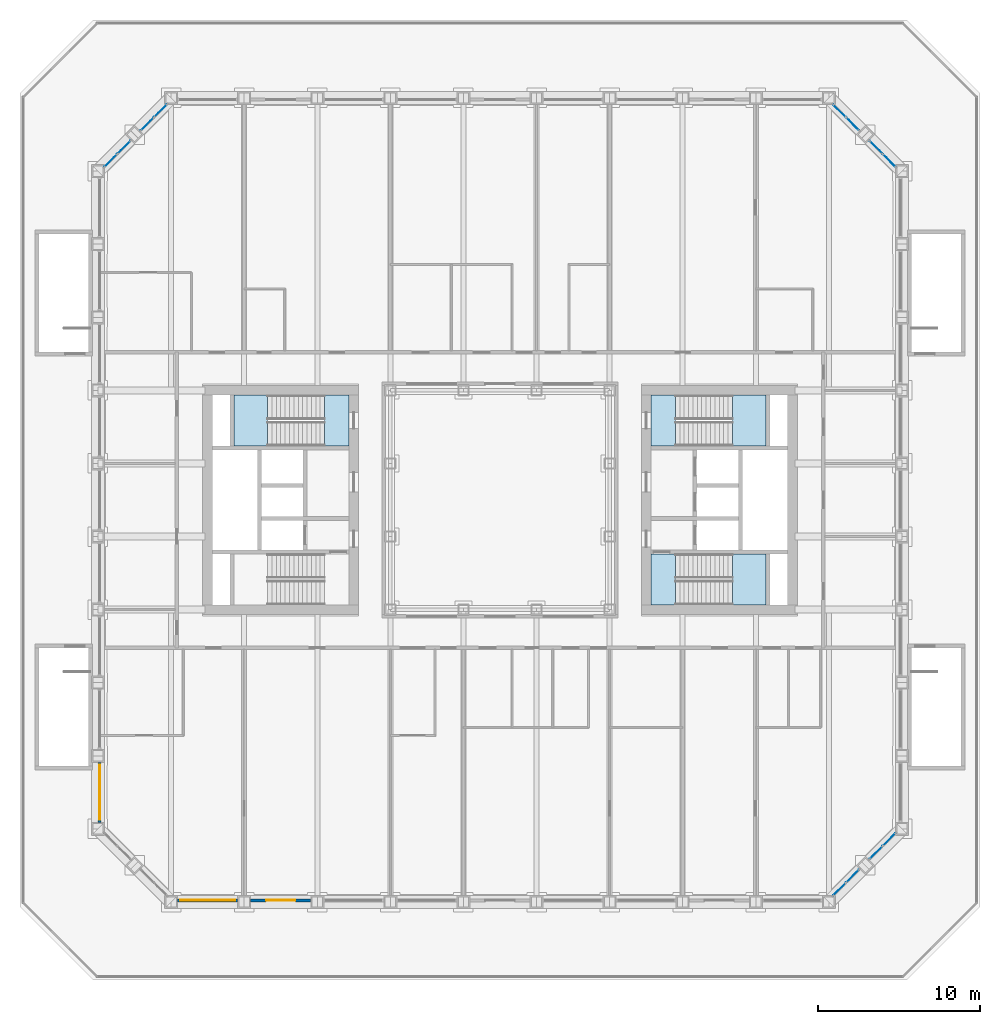
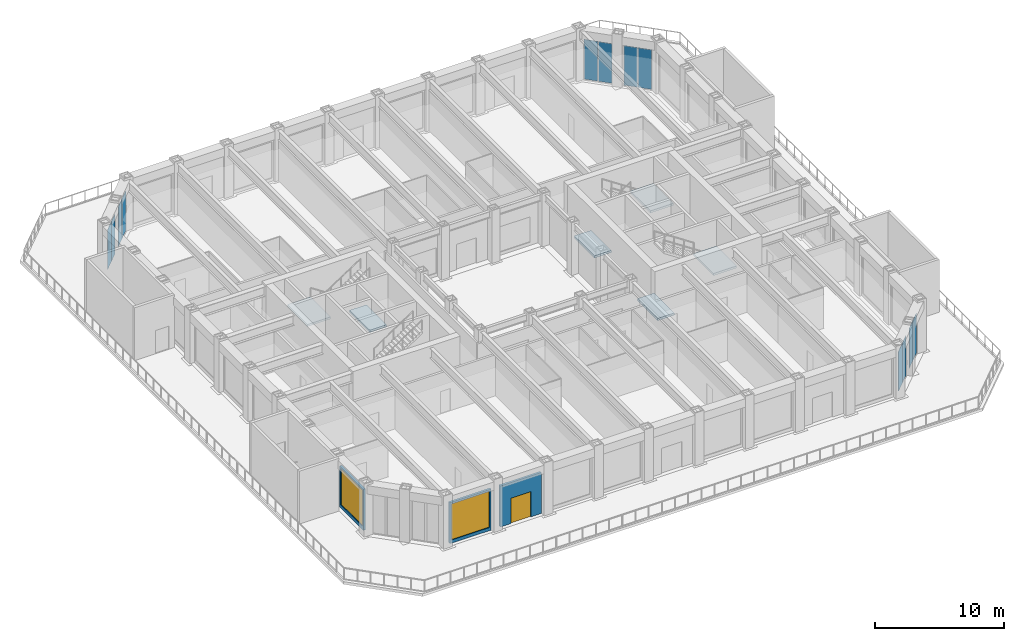
# One storey, part 8 of 18: 12 plates, 6 slabs, 3 walls, 2 windows, 1 door, 3 openings, 9 elements without a shape of their own.
"""IFC4 building model written with IfcOpenShell, lengths in metres."""

from ifc_helpers import new_model, si_unit, direction, frame, frame_2d, origin, origin_2d, place, context, subcontext, project, spatial, polyline, rectangle, outline, extrude, material, layer, layer_set, type_object, element, fill, aggregate, save


model = new_model("IFC4")

# Units and contexts
model_context = context("Model", 3, precision=1e-05, world=origin(), true_north=direction((0.0, 1.0)))
body_context = subcontext(model_context, "Body", "Model", "MODEL_VIEW")
ifc_project = project(units=[si_unit("LENGTHUNIT", "METRE"), si_unit("AREAUNIT", "SQUARE_METRE"), si_unit("VOLUMEUNIT", "CUBIC_METRE"), si_unit("PLANEANGLEUNIT", "RADIAN"), si_unit("MASSUNIT", "GRAM", prefix="KILO")], contexts=[model_context])

# Site, building, storey
site_placement = place(None, origin())
site = spatial("IfcSite", under=ifc_project, at=site_placement, CompositionType="ELEMENT")
building_placement = place(site_placement, origin())
building = spatial("IfcBuilding", under=site, at=building_placement, Name="Msasa Ring Tower", CompositionType="ELEMENT")
storey_placement = place(building_placement, frame((0.0, 0.0, 21.5)))
storey = spatial("IfcBuildingStorey", under=building, at=storey_placement, Name="L04", CompositionType="ELEMENT", Elevation=21.5)

# Curtain wall, plates
ifc_material_1 = material(Name="Aluminium curtain wall with clear glass", Category="aluminium")
curtain_wall_type = type_object("IfcCurtainWallType", Name="CW-C CHAMFER CORNER CURTAIN WALL", PredefinedType="NOTDEFINED", material=ifc_material_1)
curtain_wall_1_placement = place(storey_placement, origin())
curtain_wall_1 = element("IfcCurtainWall", 1, at=curtain_wall_1_placement, inside=storey, type_object=curtain_wall_type, Name="Chamfer corner curtain wall SE L04", PredefinedType="NOTDEFINED")
ifc_material_2 = material(Name="Clear laminated insulating glass unit", Category="glass")
ifc_layer_1 = layer(ifc_material_2, 0.031982421875)
ifc_layer_set_1 = layer_set([ifc_layer_1], Name="CW-C GLASS PANEL 32")
plate_type = type_object("IfcPlateType", Name="CW-C GLASS PANEL 32", PredefinedType="CURTAIN_PANEL", material=ifc_layer_set_1)
plate_1_placement = place(storey_placement, frame((20.896484375, -23.962158203125, 0.06494140625), z_axis=(0.0, 0.0, 1.0), x_axis=(0.707106781187, 0.707106781187, 0.0)))
plate_1 = element("IfcPlate", 2, at=plate_1_placement, type_object=plate_type, Name="CW-C panel 1.1", PredefinedType="CURTAIN_PANEL", context=body_context, shape_type="SweptSolid", body=[
    extrude(rectangle(XDim=1.08837890625, YDim=0.031982421875, at=origin_2d()), origin(), (0.0, 0.0, 1.0), 3.7490234375),
])
plate_2_placement = place(storey_placement, frame((21.712158203125, -23.146484375, 0.06494140625), z_axis=(0.0, 0.0, 1.0), x_axis=(0.707106781187, 0.707106781187, 0.0)))
plate_2 = element("IfcPlate", 3, at=plate_2_placement, type_object=plate_type, Name="CW-C panel 2.1", PredefinedType="CURTAIN_PANEL", context=body_context, shape_type="SweptSolid", body=[
    extrude(rectangle(XDim=1.08837890625, YDim=0.031982421875, at=origin_2d()), origin(), (0.0, 0.0, 1.0), 3.7490234375),
])
aggregate(curtain_wall_1, [plate_1, plate_2])

curtain_wall_2_placement = place(storey_placement, origin())
curtain_wall_2 = element("IfcCurtainWall", 4, at=curtain_wall_2_placement, inside=storey, type_object=curtain_wall_type, Name="Chamfer corner curtain wall SE L04", PredefinedType="NOTDEFINED")
plate_3_placement = place(storey_placement, frame((23.146484375, -21.712158203125, 0.06494140625), z_axis=(0.0, 0.0, 1.0), x_axis=(0.707106781187, 0.707106781187, 0.0)))
plate_3 = element("IfcPlate", 5, at=plate_3_placement, type_object=plate_type, Name="CW-C panel 1.1", PredefinedType="CURTAIN_PANEL", context=body_context, shape_type="SweptSolid", body=[
    extrude(rectangle(XDim=1.08837890625, YDim=0.031982421875, at=origin_2d()), origin(), (0.0, 0.0, 1.0), 3.7490234375),
])
plate_4_placement = place(storey_placement, frame((23.962158203125, -20.896484375, 0.06494140625), z_axis=(0.0, 0.0, 1.0), x_axis=(0.707106781187, 0.707106781187, 0.0)))
plate_4 = element("IfcPlate", 6, at=plate_4_placement, type_object=plate_type, Name="CW-C panel 2.1", PredefinedType="CURTAIN_PANEL", context=body_context, shape_type="SweptSolid", body=[
    extrude(rectangle(XDim=1.08837890625, YDim=0.031982421875, at=origin_2d()), origin(), (0.0, 0.0, 1.0), 3.7490234375),
])
aggregate(curtain_wall_2, [plate_3, plate_4])

curtain_wall_3_placement = place(storey_placement, origin())
curtain_wall_3 = element("IfcCurtainWall", 7, at=curtain_wall_3_placement, inside=storey, type_object=curtain_wall_type, Name="Chamfer corner curtain wall NE L04", PredefinedType="NOTDEFINED")
plate_5_placement = place(storey_placement, frame((21.712158203125, 23.146484375, 0.06494140625), z_axis=(0.0, 0.0, 1.0), x_axis=(-0.707106781187, 0.707106781187, 0.0)))
plate_5 = element("IfcPlate", 8, at=plate_5_placement, type_object=plate_type, Name="CW-C panel 1.1", PredefinedType="CURTAIN_PANEL", context=body_context, shape_type="SweptSolid", body=[
    extrude(rectangle(XDim=1.08837890625, YDim=0.031982421875, at=origin_2d()), origin(), (0.0, 0.0, 1.0), 3.7490234375),
])
plate_6_placement = place(storey_placement, frame((20.896484375, 23.962158203125, 0.06494140625), z_axis=(0.0, 0.0, 1.0), x_axis=(-0.707106781187, 0.707106781187, 0.0)))
plate_6 = element("IfcPlate", 9, at=plate_6_placement, type_object=plate_type, Name="CW-C panel 2.1", PredefinedType="CURTAIN_PANEL", context=body_context, shape_type="SweptSolid", body=[
    extrude(rectangle(XDim=1.08837890625, YDim=0.031982421875, at=origin_2d()), origin(), (0.0, 0.0, 1.0), 3.7490234375),
])
aggregate(curtain_wall_3, [plate_5, plate_6])

curtain_wall_4_placement = place(storey_placement, origin())
curtain_wall_4 = element("IfcCurtainWall", 10, at=curtain_wall_4_placement, inside=storey, type_object=curtain_wall_type, Name="Chamfer corner curtain wall NE L04", PredefinedType="NOTDEFINED")
plate_7_placement = place(storey_placement, frame((23.962158203125, 20.896484375, 0.06494140625), z_axis=(0.0, 0.0, 1.0), x_axis=(-0.707106781187, 0.707106781187, 0.0)))
plate_7 = element("IfcPlate", 11, at=plate_7_placement, type_object=plate_type, Name="CW-C panel 1.1", PredefinedType="CURTAIN_PANEL", context=body_context, shape_type="SweptSolid", body=[
    extrude(rectangle(XDim=1.08837890625, YDim=0.031982421875, at=origin_2d()), origin(), (0.0, 0.0, 1.0), 3.7490234375),
])
plate_8_placement = place(storey_placement, frame((23.146484375, 21.712158203125, 0.06494140625), z_axis=(0.0, 0.0, 1.0), x_axis=(-0.707106781187, 0.707106781187, 0.0)))
plate_8 = element("IfcPlate", 12, at=plate_8_placement, type_object=plate_type, Name="CW-C panel 2.1", PredefinedType="CURTAIN_PANEL", context=body_context, shape_type="SweptSolid", body=[
    extrude(rectangle(XDim=1.08837890625, YDim=0.031982421875, at=origin_2d()), origin(), (0.0, 0.0, 1.0), 3.7490234375),
])
aggregate(curtain_wall_4, [plate_7, plate_8])

curtain_wall_5_placement = place(storey_placement, origin())
curtain_wall_5 = element("IfcCurtainWall", 13, at=curtain_wall_5_placement, inside=storey, type_object=curtain_wall_type, Name="Chamfer corner curtain wall NW L04", PredefinedType="NOTDEFINED")
plate_9_placement = place(storey_placement, frame((-23.146484375, 21.712158203125, 0.06494140625), z_axis=(0.0, 0.0, 1.0), x_axis=(-0.707106781187, -0.707106781187, 0.0)))
plate_9 = element("IfcPlate", 14, at=plate_9_placement, type_object=plate_type, Name="CW-C panel 1.1", PredefinedType="CURTAIN_PANEL", context=body_context, shape_type="SweptSolid", body=[
    extrude(rectangle(XDim=1.08837890625, YDim=0.031982421875, at=origin_2d()), origin(), (0.0, 0.0, 1.0), 3.7490234375),
])
plate_10_placement = place(storey_placement, frame((-23.962158203125, 20.896484375, 0.06494140625), z_axis=(0.0, 0.0, 1.0), x_axis=(-0.707106781187, -0.707106781187, 0.0)))
plate_10 = element("IfcPlate", 15, at=plate_10_placement, type_object=plate_type, Name="CW-C panel 2.1", PredefinedType="CURTAIN_PANEL", context=body_context, shape_type="SweptSolid", body=[
    extrude(rectangle(XDim=1.08837890625, YDim=0.031982421875, at=origin_2d()), origin(), (0.0, 0.0, 1.0), 3.7490234375),
])
aggregate(curtain_wall_5, [plate_9, plate_10])

curtain_wall_6_placement = place(storey_placement, origin())
curtain_wall_6 = element("IfcCurtainWall", 16, at=curtain_wall_6_placement, inside=storey, type_object=curtain_wall_type, Name="Chamfer corner curtain wall NW L04", PredefinedType="NOTDEFINED")
plate_11_placement = place(storey_placement, frame((-20.896484375, 23.962158203125, 0.06494140625), z_axis=(0.0, 0.0, 1.0), x_axis=(-0.707106781187, -0.707106781187, 0.0)))
plate_11 = element("IfcPlate", 17, at=plate_11_placement, type_object=plate_type, Name="CW-C panel 1.1", PredefinedType="CURTAIN_PANEL", context=body_context, shape_type="SweptSolid", body=[
    extrude(rectangle(XDim=1.08837890625, YDim=0.031982421875, at=origin_2d()), origin(), (0.0, 0.0, 1.0), 3.7490234375),
])
plate_12_placement = place(storey_placement, frame((-21.712158203125, 23.146484375, 0.06494140625), z_axis=(0.0, 0.0, 1.0), x_axis=(-0.707106781187, -0.707106781187, 0.0)))
plate_12 = element("IfcPlate", 18, at=plate_12_placement, type_object=plate_type, Name="CW-C panel 2.1", PredefinedType="CURTAIN_PANEL", context=body_context, shape_type="SweptSolid", body=[
    extrude(rectangle(XDim=1.08837890625, YDim=0.031982421875, at=origin_2d()), origin(), (0.0, 0.0, 1.0), 3.7490234375),
])
aggregate(curtain_wall_6, [plate_11, plate_12])

# Stair, slabs
ifc_material_3 = material(Name="Concrete C40/50", Category="concrete")
stair_type = type_object("IfcStairType", Name="STC CORE STAIR 28 RISERS 178.6", PredefinedType="HALF_TURN_STAIR", material=ifc_material_3)
stair_1_placement = place(storey_placement, origin())
stair_1 = element("IfcStair", 19, at=stair_1_placement, inside=storey, type_object=stair_type, Name="Core stair SEA L04", PredefinedType="HALF_TURN_STAIR")
ifc_material_4 = material(Name="Concrete C40/50", Category="concrete")
ifc_layer_2 = layer(ifc_material_4, 0.199951171875)
ifc_layer_set_2 = layer_set([ifc_layer_2], Name="LD1 CORE STAIR LANDING 200")
slab_type = type_object("IfcSlabType", Name="LD1 CORE STAIR LANDING 200", PredefinedType="LANDING", material=ifc_layer_set_2)
slab_1_placement = place(storey_placement, frame((0.0, 0.0, -0.199951171875)))
slab_1 = element("IfcSlab", 20, at=slab_1_placement, type_object=slab_type, Name="SEA landing 1", PredefinedType="LANDING", context=body_context, shape_type="SweptSolid", body=[
    extrude(outline(polyline([(9.300048828125, -6.449951171875), (10.800048828125, -6.449951171875), (10.800048828125, -3.324951171875), (9.300048828125, -3.324951171875), (9.300048828125, -6.449951171875)])), origin(), (0.0, 0.0, 1.0), 0.199951171875),
])
slab_2_placement = place(storey_placement, frame((0.0, 0.0, 2.300048828125)))
slab_2 = element("IfcSlab", 21, at=slab_2_placement, type_object=slab_type, Name="SEA landing 2", PredefinedType="LANDING", context=body_context, shape_type="SweptSolid", body=[
    extrude(outline(polyline([(14.31005859375, -6.449951171875), (16.375, -6.449951171875), (16.375, -3.324951171875), (14.31005859375, -3.324951171875), (14.31005859375, -6.449951171875)])), origin(), (0.0, 0.0, 1.0), 0.199951171875),
])
aggregate(stair_1, [slab_1, slab_2])

stair_2_placement = place(storey_placement, origin())
stair_2 = element("IfcStair", 22, at=stair_2_placement, inside=storey, type_object=stair_type, Name="Core stair SEB L04", PredefinedType="HALF_TURN_STAIR")
slab_3_placement = place(storey_placement, frame((0.0, 0.0, -0.199951171875)))
slab_3 = element("IfcSlab", 23, at=slab_3_placement, type_object=slab_type, Name="SEB landing 1", PredefinedType="LANDING", context=body_context, shape_type="SweptSolid", body=[
    extrude(outline(polyline([(9.300048828125, 3.324951171875), (10.800048828125, 3.324951171875), (10.800048828125, 6.449951171875), (9.300048828125, 6.449951171875), (9.300048828125, 3.324951171875)])), origin(), (0.0, 0.0, 1.0), 0.199951171875),
])
slab_4_placement = place(storey_placement, frame((0.0, 0.0, 2.300048828125)))
slab_4 = element("IfcSlab", 24, at=slab_4_placement, type_object=slab_type, Name="SEB landing 2", PredefinedType="LANDING", context=body_context, shape_type="SweptSolid", body=[
    extrude(outline(polyline([(14.31005859375, 3.324951171875), (16.375, 3.324951171875), (16.375, 6.449951171875), (14.31005859375, 6.449951171875), (14.31005859375, 3.324951171875)])), origin(), (0.0, 0.0, 1.0), 0.199951171875),
])
aggregate(stair_2, [slab_3, slab_4])

stair_3_placement = place(storey_placement, origin())
stair_3 = element("IfcStair", 25, at=stair_3_placement, inside=storey, type_object=stair_type, Name="Core stair SWB L04", PredefinedType="HALF_TURN_STAIR")
slab_5_placement = place(storey_placement, frame((0.0, 0.0, -0.199951171875)))
slab_5 = element("IfcSlab", 26, at=slab_5_placement, type_object=slab_type, Name="SWB landing 1", PredefinedType="LANDING", context=body_context, shape_type="SweptSolid", body=[
    extrude(outline(polyline([(-10.800048828125, 3.324951171875), (-9.300048828125, 3.324951171875), (-9.300048828125, 6.449951171875), (-10.800048828125, 6.449951171875), (-10.800048828125, 3.324951171875)])), origin(), (0.0, 0.0, 1.0), 0.199951171875),
])
slab_6_placement = place(storey_placement, frame((0.0, 0.0, 2.300048828125)))
slab_6 = element("IfcSlab", 27, at=slab_6_placement, type_object=slab_type, Name="SWB landing 2", PredefinedType="LANDING", context=body_context, shape_type="SweptSolid", body=[
    extrude(outline(polyline([(-16.375, 3.324951171875), (-14.31005859375, 3.324951171875), (-14.31005859375, 6.449951171875), (-16.375, 6.449951171875), (-16.375, 3.324951171875)])), origin(), (0.0, 0.0, 1.0), 0.199951171875),
])
aggregate(stair_3, [slab_5, slab_6])

# Wall, opening, window
ifc_material_5 = material(Name="Terracotta rainscreen on blockwork", Category="masonry")
ifc_layer_3 = layer(ifc_material_5, 0.199951171875)
ifc_layer_set_3 = layer_set([ifc_layer_3], Name="FW1 TERRACOTTA-LINED INFILL BAY WALL 200")
wall_type = type_object("IfcWallType", Name="FW1 TERRACOTTA-LINED INFILL BAY WALL 200", PredefinedType="SOLIDWALL", material=ifc_layer_set_3)
wall_1_placement = place(storey_placement, frame((-19.844970703125, -24.64990234375, 0.0), z_axis=(0.0, 0.0, 1.0), x_axis=(1.0, 0.0, 0.0)))
wall_1 = element("IfcWall", 28, at=wall_1_placement, inside=storey, type_object=wall_type, Name="Infill bay wall S L04 00", PredefinedType="SOLIDWALL", context=body_context, shape_type="SweptSolid", body=[
    extrude(rectangle(XDim=3.68994140625, YDim=0.199951171875, at=frame_2d((1.844970703125, 0.0))), origin(), (0.0, 0.0, 1.0), 3.87890625),
])
opening_1_placement = place(wall_1_placement, frame((0.14501953125, 0.0, 0.300048828125)))
opening_1 = element("IfcOpeningElement", 29, at=opening_1_placement, cuts=wall_1, Name="Opening WN4", PredefinedType="OPENING", context=body_context, shape_type="SweptSolid", body=[
    extrude(rectangle(XDim=3.39990234375, YDim=3.428955078125, at=frame_2d((1.699951171875, 1.71435546875))), frame((0.0, 0.10986328125, 0.0), z_axis=(0.0, -1.0, 0.0), x_axis=(1.0, 0.0, 0.0)), (0.0, 0.0, 1.0), 0.219970703125),
])
ifc_material_6 = material(Name="Aluminium frame with clear glass", Category="aluminium")
window_type = type_object("IfcWindowType", Name="WN4 AMENITY WINDOW 3400x3429", PartitioningType="SINGLE_PANEL", PredefinedType="WINDOW", material=ifc_material_6)
window_1_placement = place(opening_1_placement, origin())
window_1 = element("IfcWindow", 30, at=window_1_placement, inside=storey, type_object=window_type, Name="Window S L04 00", OverallHeight=3.428955078125, OverallWidth=3.39990234375, PartitioningType="SINGLE_PANEL", PredefinedType="WINDOW", context=body_context, shape_type="SweptSolid", body=[
    extrude(rectangle(XDim=3.39990234375, YDim=3.428955078125, at=frame_2d((1.699951171875, 1.71435546875))), frame((0.0, 0.030029296875, 0.0), z_axis=(0.0, -1.0, 0.0), x_axis=(1.0, 0.0, 0.0)), (0.0, 0.0, 1.0), 0.06005859375),
])
fill(opening_1, window_1)

# Wall, opening, door
wall_2_placement = place(storey_placement, frame((-15.344970703125, -24.64990234375, 0.0), z_axis=(0.0, 0.0, 1.0), x_axis=(1.0, 0.0, 0.0)))
wall_2 = element("IfcWall", 31, at=wall_2_placement, inside=storey, type_object=wall_type, Name="Infill bay wall S L04 01", PredefinedType="SOLIDWALL", context=body_context, shape_type="SweptSolid", body=[
    extrude(rectangle(XDim=3.68994140625, YDim=0.199951171875, at=frame_2d((1.844970703125, 0.0))), origin(), (0.0, 0.0, 1.0), 3.87890625),
])
opening_2_placement = place(wall_2_placement, frame((0.945068359375, 0.0, 0.0)))
opening_2 = element("IfcOpeningElement", 32, at=opening_2_placement, cuts=wall_2, Name="Opening L04-054", PredefinedType="OPENING", context=body_context, shape_type="SweptSolid", body=[
    extrude(rectangle(XDim=1.800048828125, YDim=2.39990234375, at=frame_2d((0.89990234375, 1.199951171875))), frame((0.0, 0.10986328125, 0.0), z_axis=(0.0, -1.0, 0.0), x_axis=(1.0, 0.0, 0.0)), (0.0, 0.0, 1.0), 0.219970703125),
])
ifc_material_7 = material(Name="Aluminium frame with clear glass", Category="aluminium")
door_type = type_object("IfcDoorType", Name="ED1 TERRACE DOOR 1800x2400", OperationType="DOUBLE_DOOR_SINGLE_SWING", PredefinedType="DOOR", material=ifc_material_7)
door_placement = place(opening_2_placement, origin())
door = element("IfcDoor", 33, at=door_placement, inside=storey, type_object=door_type, Name="Terrace door S L04", OperationType="DOUBLE_DOOR_SINGLE_SWING", OverallHeight=2.39990234375, OverallWidth=1.800048828125, PredefinedType="DOOR", context=body_context, shape_type="SweptSolid", body=[
    extrude(rectangle(XDim=1.800048828125, YDim=2.39990234375, at=frame_2d((0.89990234375, 1.199951171875))), frame((0.0, 0.02490234375, 0.0), z_axis=(0.0, -1.0, 0.0), x_axis=(1.0, 0.0, 0.0)), (0.0, 0.0, 1.0), 0.050048828125),
])
fill(opening_2, door)

# Wall, opening, window
wall_3_placement = place(storey_placement, frame((-24.64990234375, -19.844970703125, 0.0), z_axis=(0.0, 0.0, 1.0), x_axis=(0.0, 1.0, 0.0)))
wall_3 = element("IfcWall", 34, at=wall_3_placement, inside=storey, type_object=wall_type, Name="Infill bay wall W L04 33", PredefinedType="SOLIDWALL", context=body_context, shape_type="SweptSolid", body=[
    extrude(rectangle(XDim=3.68994140625, YDim=0.199951171875, at=frame_2d((1.844970703125, 0.0))), origin(), (0.0, 0.0, 1.0), 3.87890625),
])
opening_3_placement = place(wall_3_placement, frame((0.14501953125, 0.0, 0.300048828125)))
opening_3 = element("IfcOpeningElement", 35, at=opening_3_placement, cuts=wall_3, Name="Opening WN4", PredefinedType="OPENING", context=body_context, shape_type="SweptSolid", body=[
    extrude(rectangle(XDim=3.39990234375, YDim=3.428955078125, at=frame_2d((1.699951171875, 1.71435546875))), frame((0.0, 0.10986328125, 0.0), z_axis=(0.0, -1.0, 0.0), x_axis=(1.0, 0.0, 0.0)), (0.0, 0.0, 1.0), 0.219970703125),
])
window_2_placement = place(opening_3_placement, origin())
window_2 = element("IfcWindow", 36, at=window_2_placement, inside=storey, type_object=window_type, Name="Window W L04 33", OverallHeight=3.428955078125, OverallWidth=3.39990234375, PartitioningType="SINGLE_PANEL", PredefinedType="WINDOW", context=body_context, shape_type="SweptSolid", body=[
    extrude(rectangle(XDim=3.39990234375, YDim=3.428955078125, at=frame_2d((1.699951171875, 1.71435546875))), frame((0.0, 0.030029296875, 0.0), z_axis=(0.0, -1.0, 0.0), x_axis=(1.0, 0.0, 0.0)), (0.0, 0.0, 1.0), 0.06005859375),
])
fill(opening_3, window_2)

save(model, "model.ifc")
